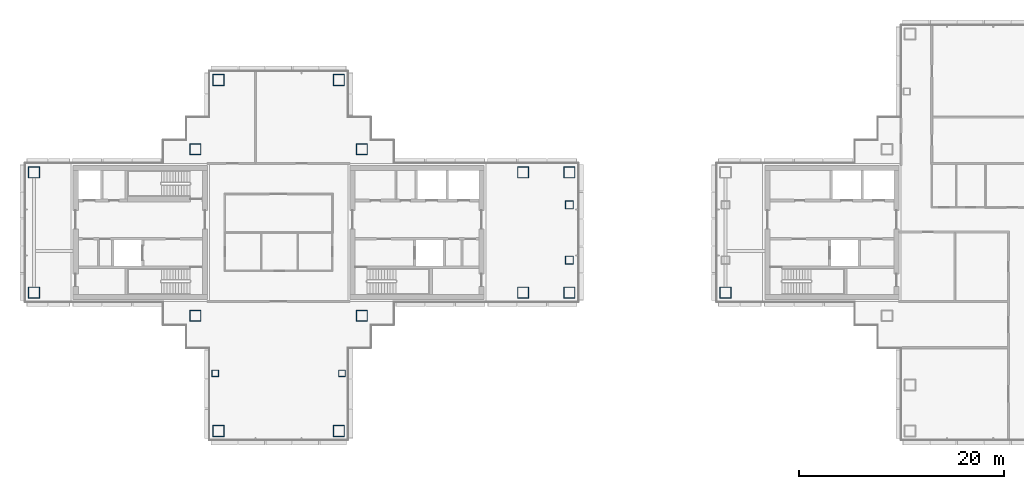
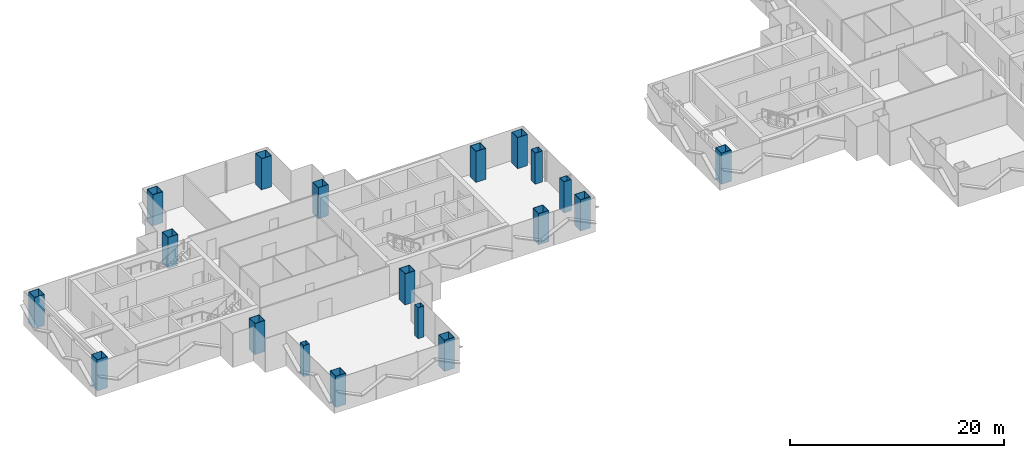
# One storey, part 1 of 16: 19 columns.
"""IFC4 building model written with IfcOpenShell, lengths in metres."""

from ifc_helpers import new_model, si_unit, direction, frame, origin, origin_2d, place, context, subcontext, project, spatial, hollow_rectangle, extrude, material, material_profile, profile_set, type_object, element, save


model = new_model("IFC4")

# Units and contexts
model_context = context("Model", 3, precision=1e-05, world=origin(), true_north=direction((0.0, 1.0)))
body_context = subcontext(model_context, "Body", "Model", "MODEL_VIEW")
ifc_project = project(units=[si_unit("LENGTHUNIT", "METRE"), si_unit("AREAUNIT", "SQUARE_METRE"), si_unit("VOLUMEUNIT", "CUBIC_METRE"), si_unit("PLANEANGLEUNIT", "RADIAN"), si_unit("MASSUNIT", "GRAM", prefix="KILO")], contexts=[model_context])

# Site, building, storey
site_placement = place(None, origin())
site = spatial("IfcSite", under=ifc_project, at=site_placement, CompositionType="ELEMENT")
building_placement = place(site_placement, origin())
building = spatial("IfcBuilding", under=site, at=building_placement, Name="Shamsa Quay Exchange Towers", CompositionType="ELEMENT")
storey_placement = place(building_placement, frame((0.0, 0.0, 166.199951171875)))
storey = spatial("IfcBuildingStorey", under=building, at=storey_placement, Name="L39", CompositionType="ELEMENT", Elevation=166.199951171875)

# Columns
ifc_material_1 = material(Name="Concrete-filled steel tube S355 / C80/95", Category="concrete")
ifc_material_profile_1 = material_profile(ifc_material_1, hollow_rectangle(XDim=1.10009765625, YDim=1.10009765625, WallThickness=0.0400390625, at=origin_2d()), Name="CFT 1100x1100x40")
ifc_profile_set_1 = profile_set([ifc_material_profile_1], Name="Concrete-filled steel tube S355 / C80/95")
column_type_1 = type_object("IfcColumnType", Name="Column CFT 1100x1100x40", PredefinedType="COLUMN", material=ifc_profile_set_1)
for number, where, name in (
    (1, (-25.625, 8.125, 0.0), "Mega column T1-CM01"),
    (2, (-25.625, -8.125, 0.0), "Mega column T1-CM02"),
    (3, (-41.875, 8.125, 0.0), "Mega column T1-CM03"),
    (4, (-41.875, -8.125, 0.0), "Mega column T1-CM04"),
    (5, (-9.875, -5.875, 0.0), "Mega column T1-CM05"),
    (6, (-5.375, -5.875, 0.0), "Mega column T1-CM06"),
    (7, (-9.875, 5.875, 0.0), "Mega column T1-CM07"),
    (8, (-5.375, 5.875, 0.0), "Mega column T1-CM08"),
    (9, (-57.625, -5.875, 0.0), "Mega column T1-CM09"),
    (10, (-57.625, 5.875, 0.0), "Mega column T1-CM11"),
    (11, (-39.625, 14.875, 0.0), "Mega column T1-CM13"),
    (12, (-27.875, 14.875, 0.0), "Mega column T1-CM16"),
    (13, (-39.625, -19.375, 0.0), "Mega column T1-CM20"),
    (14, (-27.875, -19.375, 0.0), "Mega column T1-CM23"),
    (15, (9.875, -5.875, 0.0), "Mega column T2-CM19"),
):
    element("IfcColumn", number, at=place(storey_placement, frame(where)), inside=storey, type_object=column_type_1, Name=name, PredefinedType="COLUMN", context=body_context, shape_type="SweptSolid", body=[
        extrude(hollow_rectangle(XDim=1.10009765625, YDim=1.10009765625, WallThickness=0.0400390625, at=origin_2d()), origin(), (0.0, 0.0, 1.0), 3.550048828125),
    ])
ifc_material_2 = material(Name="Concrete-filled steel tube S355 / C60/75", Category="concrete")
ifc_material_profile_2 = material_profile(ifc_material_2, hollow_rectangle(XDim=0.64990234375, YDim=0.64990234375, WallThickness=0.02001953125, at=origin_2d()), Name="CFT 650x650x20")
ifc_profile_set_2 = profile_set([ifc_material_profile_2], Name="Concrete-filled steel tube S355 / C60/75")
column_type_2 = type_object("IfcColumnType", Name="Column CFT 650x650x20", PredefinedType="COLUMN", material=ifc_profile_set_2)
for number, where, name in (
    (16, (-39.9375, -13.75, 0.0), "Perimeter column T1-CP19"),
    (17, (-27.5625, -13.75, 0.0), "Perimeter column T1-CP22"),
):
    element("IfcColumn", number, at=place(storey_placement, frame(where)), inside=storey, type_object=column_type_2, Name=name, PredefinedType="COLUMN", context=body_context, shape_type="SweptSolid", body=[
        extrude(hollow_rectangle(XDim=0.64990234375, YDim=0.64990234375, WallThickness=0.02001953125, at=origin_2d()), origin(), (0.0, 0.0, 1.0), 3.550048828125),
    ])
ifc_material_3 = material(Name="Concrete-filled steel tube S355 / C70/85", Category="concrete")
ifc_material_profile_3 = material_profile(ifc_material_3, hollow_rectangle(XDim=0.800048828125, YDim=0.800048828125, WallThickness=0.030029296875, at=origin_2d()), Name="CFT 800x800x30")
ifc_profile_set_3 = profile_set([ifc_material_profile_3], Name="Concrete-filled steel tube S355 / C70/85")
column_type_3 = type_object("IfcColumnType", Name="Landing column CFT 800x800x30", PredefinedType="COLUMN", material=ifc_profile_set_3)
for number, where, name in (
    (18, (-5.375, -2.699951171875, 0.0), "Landing column T1 S"),
    (19, (-5.375, 2.699951171875, 0.0), "Landing column T1 N"),
):
    element("IfcColumn", number, at=place(storey_placement, frame(where)), inside=storey, type_object=column_type_3, Name=name, PredefinedType="COLUMN", context=body_context, shape_type="SweptSolid", body=[
        extrude(hollow_rectangle(XDim=0.800048828125, YDim=0.800048828125, WallThickness=0.030029296875, at=origin_2d()), origin(), (0.0, 0.0, 1.0), 3.550048828125),
    ])

save(model, "model.ifc")
